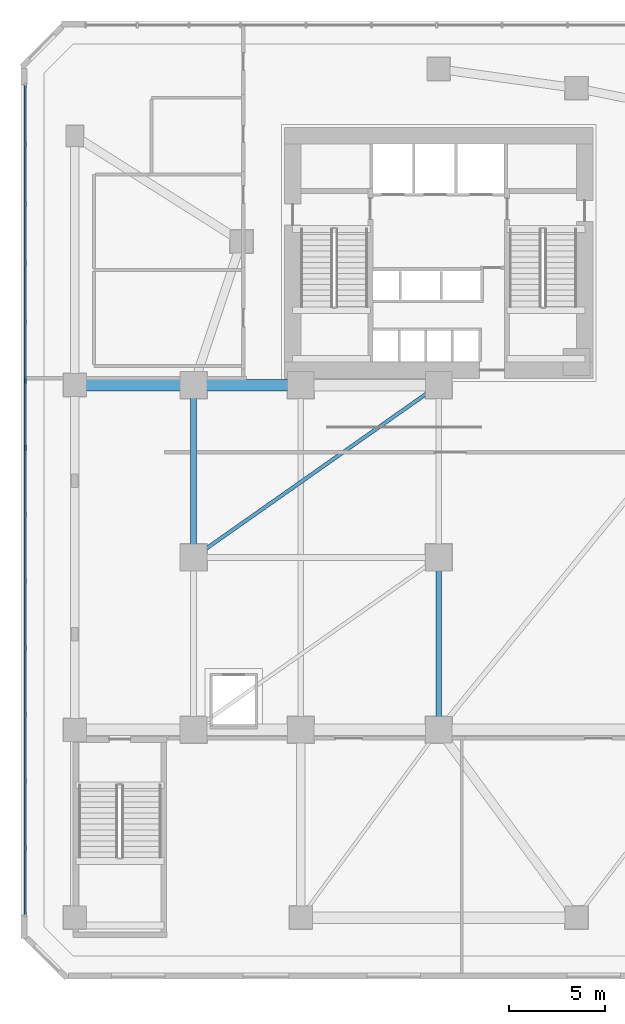
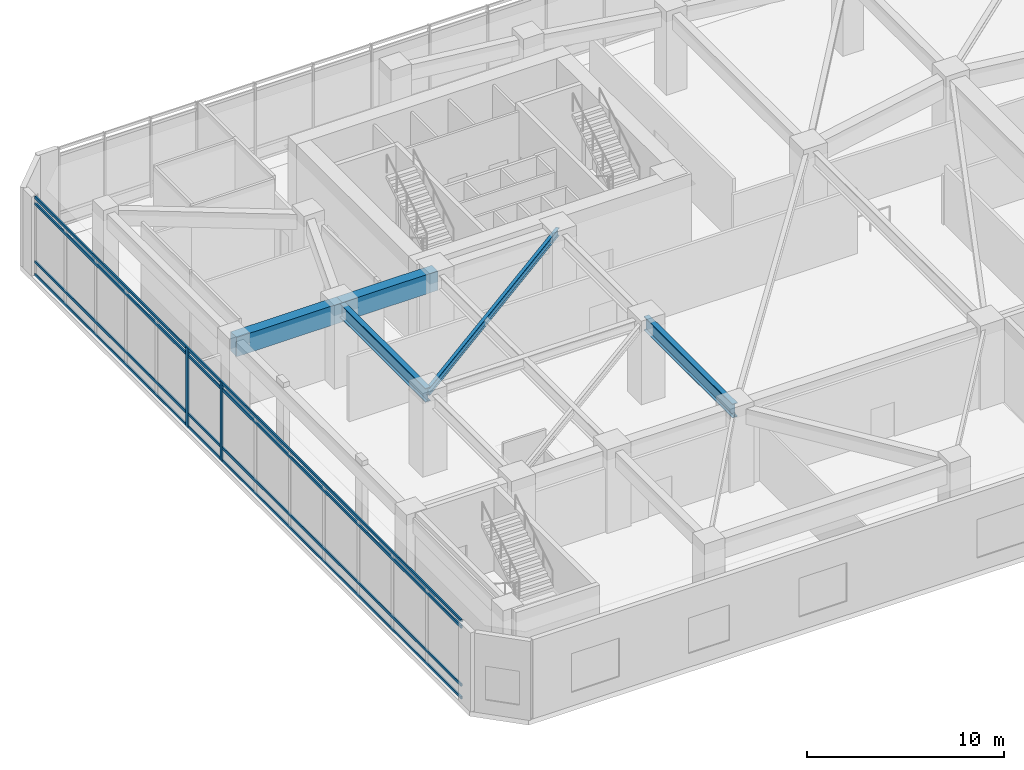
# One storey, part 3 of 16: 6 members, 5 beams, 1 element without a shape of its own.
"""IFC4 building model written with IfcOpenShell, lengths in metres."""

from ifc_helpers import new_model, si_unit, direction, frame, origin, origin_2d, place, context, subcontext, project, spatial, rectangle, i_section, extrude, source, transform, mapped, material, material_profile, profile_set, type_object, element, aggregate, save


model = new_model("IFC4")

# Units and contexts
model_context = context("Model", 3, precision=1e-05, world=origin(), true_north=direction((0.0, 1.0)))
body_context = subcontext(model_context, "Body", "Model", "MODEL_VIEW")
ifc_project = project(units=[si_unit("LENGTHUNIT", "METRE"), si_unit("AREAUNIT", "SQUARE_METRE"), si_unit("VOLUMEUNIT", "CUBIC_METRE"), si_unit("PLANEANGLEUNIT", "RADIAN"), si_unit("MASSUNIT", "GRAM", prefix="KILO")], contexts=[model_context])

# Site, building, storey
site_placement = place(None, origin())
site = spatial("IfcSite", under=ifc_project, at=site_placement, CompositionType="ELEMENT")
building_placement = place(site_placement, origin())
building = spatial("IfcBuilding", under=site, at=building_placement, Name="Calvemar Wedge Station Tower", CompositionType="ELEMENT")
storey_placement = place(building_placement, frame((0.0, 0.0, 6.0)))
storey = spatial("IfcBuildingStorey", under=building, at=storey_placement, Name="L02", CompositionType="ELEMENT", Elevation=6.0)

# Beams
ifc_material_1 = material(Name="Concrete C60", Category="concrete")
ifc_material_profile_1 = material_profile(ifc_material_1, rectangle(XDim=0.60009765625, YDim=1.199951171875, at=origin_2d()), Name="RC600x1200")
ifc_profile_set_1 = profile_set([ifc_material_profile_1], Name="Concrete C60")
beam_type_1 = type_object("IfcBeamType", Name="BM-G1-1200", PredefinedType="BEAM", material=ifc_profile_set_1)
shared_shape_1 = source(origin(), body_context, "Body", "SweptSolid", [
    extrude(rectangle(XDim=0.60009765625, YDim=1.199951171875, at=origin_2d()), origin(), (0.0, 0.0, 1.0), 6.199951171875),
])
beam_1_placement = place(storey_placement, frame((4.800048828125, 33.0, 4.300048828125), z_axis=(1.0, 0.0, 0.0), x_axis=(0.0, 1.0, 0.0)))
element("IfcBeam", 1, at=beam_1_placement, inside=storey, type_object=beam_type_1, Name="Storey L02 Primary Girder G11", PredefinedType="BEAM", context=body_context, shape_type="MappedRepresentation", body=[
    mapped(shared_shape_1, transform((0.0, 0.0, 0.0), scale=1.0)),
])
shared_shape_2 = source(origin(), body_context, "Body", "SweptSolid", [
    extrude(rectangle(XDim=0.60009765625, YDim=1.199951171875, at=origin_2d()), origin(), (0.0, 0.0, 1.0), 5.60009765625),
])
beam_2_placement = place(storey_placement, frame((11.0, 33.0, 4.300048828125), z_axis=(1.0, 0.0, 0.0), x_axis=(0.0, 1.0, 0.0)))
element("IfcBeam", 2, at=beam_2_placement, inside=storey, type_object=beam_type_1, Name="Storey L02 Primary Girder G12", PredefinedType="BEAM", context=body_context, shape_type="MappedRepresentation", body=[
    mapped(shared_shape_2, transform((0.0, 0.0, 0.0), scale=1.0)),
])
ifc_material_2 = material(Name="Structural steel ASTM A572 Grade 50", Category="steel")
ifc_material_profile_2 = material_profile(ifc_material_2, i_section(OverallWidth=0.303955078125, OverallDepth=0.862060546875, WebThickness=0.019775390625, FlangeThickness=0.035888671875, FilletRadius=0.02001953125, at=origin_2d()), Name="W840x329")
ifc_profile_set_2 = profile_set([ifc_material_profile_2], Name="Structural steel ASTM A572 Grade 50")
beam_type_2 = type_object("IfcBeamType", Name="BM-TR2-W840", PredefinedType="BEAM", material=ifc_profile_set_2)
shared_shape_3 = source(origin(), body_context, "Body", "SweptSolid", [
    extrude(i_section(OverallWidth=0.303955078125, OverallDepth=0.862060546875, WebThickness=0.019775390625, FlangeThickness=0.035888671875, FilletRadius=0.02001953125, at=origin_2d()), origin(), (0.0, 0.0, 1.0), 9.0),
])
for number, where, z_axis, x_axis, name in (
    (3, (11.0, 24.0, 4.468994140625), (0.0, 1.0, 0.0), (-1.0, 0.0, 0.0), "Storey L02 Primary Girder G20"),
    (4, (23.800048828125, 15.0, 4.468994140625), (0.0, 1.0, 0.0), (-1.0, 0.0, 0.0), "Storey L02 Primary Girder G22"),
):
    element("IfcBeam", number, at=place(storey_placement, frame(where, z_axis=z_axis, x_axis=x_axis)), inside=storey, type_object=beam_type_2, Name=name, PredefinedType="BEAM", context=body_context, shape_type="MappedRepresentation", body=[
        mapped(shared_shape_3, transform((0.0, 0.0, 0.0), scale=1.0)),
    ])
ifc_material_profile_3 = material_profile(ifc_material_2, i_section(OverallWidth=0.19189453125, OverallDepth=0.462890625, WebThickness=0.010498046875, FlangeThickness=0.017578125, FilletRadius=0.012939453125, at=origin_2d()), Name="W460x89")
ifc_profile_set_3 = profile_set([ifc_material_profile_3], Name="Structural steel ASTM A572 Grade 50")
beam_type_3 = type_object("IfcBeamType", Name="BM-J1-W460", PredefinedType="JOIST", material=ifc_profile_set_3)
shared_shape_4 = source(origin(), body_context, "Body", "SweptSolid", [
    extrude(i_section(OverallWidth=0.19189453125, OverallDepth=0.462890625, WebThickness=0.010498046875, FlangeThickness=0.017578125, FilletRadius=0.012939453125, at=origin_2d()), origin(), (0.0, 0.0, 1.0), 15.6474609375),
])
beam_3_placement = place(storey_placement, frame((11.0, 24.0, 4.66845703125), z_axis=(0.818030190743, 0.575175283747, 0.0), x_axis=(-0.575175283747, 0.818030190743, 0.0)))
element("IfcBeam", 5, at=beam_3_placement, inside=storey, type_object=beam_type_3, Name="Storey L02 Concourse Cross Joist 2", PredefinedType="JOIST", context=body_context, shape_type="MappedRepresentation", body=[
    mapped(shared_shape_4, transform((0.0, 0.0, 0.0), scale=1.0)),
])

# Curtain wall, members
ifc_material_3 = material(Name="Anodised aluminium 6063-T6", Category="aluminium")
curtain_wall_type = type_object("IfcCurtainWallType", Name="CW5", PredefinedType="NOTDEFINED", material=ifc_material_3)
curtain_wall_placement = place(storey_placement, origin())
curtain_wall = element("IfcCurtainWall", 6, at=curtain_wall_placement, inside=storey, type_object=curtain_wall_type, Name="Storey L02 CW5 Recessed Unitised Curtain Wall 6", PredefinedType="NOTDEFINED")
ifc_material_profile_4 = material_profile(ifc_material_3, rectangle(XDim=0.0849609375, YDim=0.239990234375, at=origin_2d()), Name="AL-MUL-85x240")
ifc_profile_set_4 = profile_set([ifc_material_profile_4], Name="Anodised aluminium 6063-T6")
member_type_1 = type_object("IfcMemberType", Name="CW5-MUL", PredefinedType="MULLION", material=ifc_profile_set_4)
shared_shape_5 = source(origin(), body_context, "Body", "SweptSolid", [
    extrude(rectangle(XDim=0.0849609375, YDim=0.239990234375, at=origin_2d()), origin(), (0.0, 0.0, 1.0), 4.949951171875),
])
member_1_placement = place(storey_placement, frame((2.2099609375, 33.2099609375, -0.050048828125), z_axis=(0.0, 0.0, 1.0), x_axis=(1.0, 0.0, 0.0)))
member_1 = element("IfcMember", 7, at=member_1_placement, type_object=member_type_1, Name="CW5 mullion 6", PredefinedType="MULLION", context=body_context, shape_type="MappedRepresentation", body=[
    mapped(shared_shape_5, transform((0.0, 0.0, 0.0), scale=1.0)),
])
member_2_placement = place(storey_placement, frame((2.2099609375, 29.72900390625, -0.050048828125), z_axis=(0.0, 0.0, 1.0), x_axis=(1.0, 0.0, 0.0)))
member_2 = element("IfcMember", 8, at=member_2_placement, type_object=member_type_1, Name="CW5 mullion 7", PredefinedType="MULLION", context=body_context, shape_type="MappedRepresentation", body=[
    mapped(shared_shape_5, transform((0.0, 0.0, 0.0), scale=1.0)),
])
ifc_material_profile_5 = material_profile(ifc_material_3, rectangle(XDim=0.0849609375, YDim=0.169921875, at=origin_2d()), Name="AL-TRN-85x170")
ifc_profile_set_5 = profile_set([ifc_material_profile_5], Name="Anodised aluminium 6063-T6")
member_type_2 = type_object("IfcMemberType", Name="CW5-TRN", PredefinedType="USERDEFINED", material=ifc_profile_set_5)
shared_shape_6 = source(origin(), body_context, "Body", "SweptSolid", [
    extrude(rectangle(XDim=0.0849609375, YDim=0.169921875, at=origin_2d()), origin(), (0.0, 0.0, 1.0), 43.27587890625),
])
member_3_placement = place(storey_placement, frame((2.2099609375, 48.637939453125, 0.06005859375), z_axis=(0.0, -1.0, 0.0), x_axis=(1.0, 0.0, 0.0)))
member_3 = element("IfcMember", 9, at=member_3_placement, type_object=member_type_2, Name="CW5 transom 1", ObjectType="TRANSOM", PredefinedType="USERDEFINED", context=body_context, shape_type="MappedRepresentation", body=[
    mapped(shared_shape_6, transform((0.0, 0.0, 0.0), scale=1.0)),
])
member_4_placement = place(storey_placement, frame((2.2099609375, 48.637939453125, 0.85009765625), z_axis=(0.0, -1.0, 0.0), x_axis=(1.0, 0.0, 0.0)))
member_4 = element("IfcMember", 10, at=member_4_placement, type_object=member_type_2, Name="CW5 transom 2", ObjectType="TRANSOM", PredefinedType="USERDEFINED", context=body_context, shape_type="MappedRepresentation", body=[
    mapped(shared_shape_6, transform((0.0, 0.0, 0.0), scale=1.0)),
])
member_5_placement = place(storey_placement, frame((2.2099609375, 48.637939453125, 4.449951171875), z_axis=(0.0, -1.0, 0.0), x_axis=(1.0, 0.0, 0.0)))
member_5 = element("IfcMember", 11, at=member_5_placement, type_object=member_type_2, Name="CW5 transom 3", ObjectType="TRANSOM", PredefinedType="USERDEFINED", context=body_context, shape_type="MappedRepresentation", body=[
    mapped(shared_shape_6, transform((0.0, 0.0, 0.0), scale=1.0)),
])
member_6_placement = place(storey_placement, frame((2.2099609375, 48.637939453125, 4.840087890625), z_axis=(0.0, -1.0, 0.0), x_axis=(1.0, 0.0, 0.0)))
member_6 = element("IfcMember", 12, at=member_6_placement, type_object=member_type_2, Name="CW5 transom 4", ObjectType="TRANSOM", PredefinedType="USERDEFINED", context=body_context, shape_type="MappedRepresentation", body=[
    mapped(shared_shape_6, transform((0.0, 0.0, 0.0), scale=1.0)),
])
aggregate(curtain_wall, [member_1, member_2, member_3, member_4, member_5, member_6])

save(model, "model.ifc")
